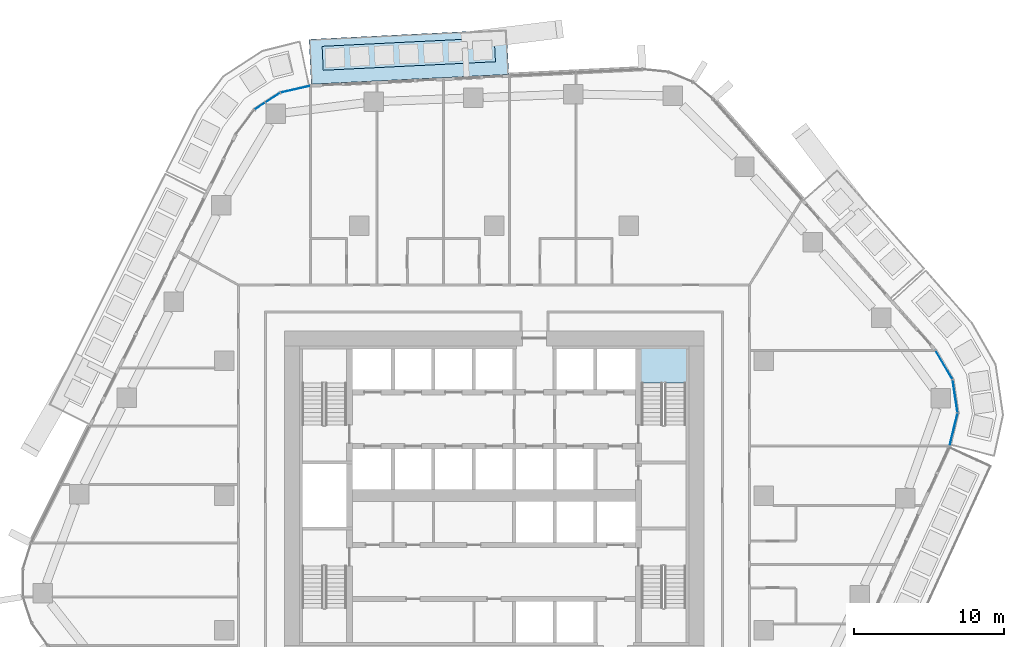
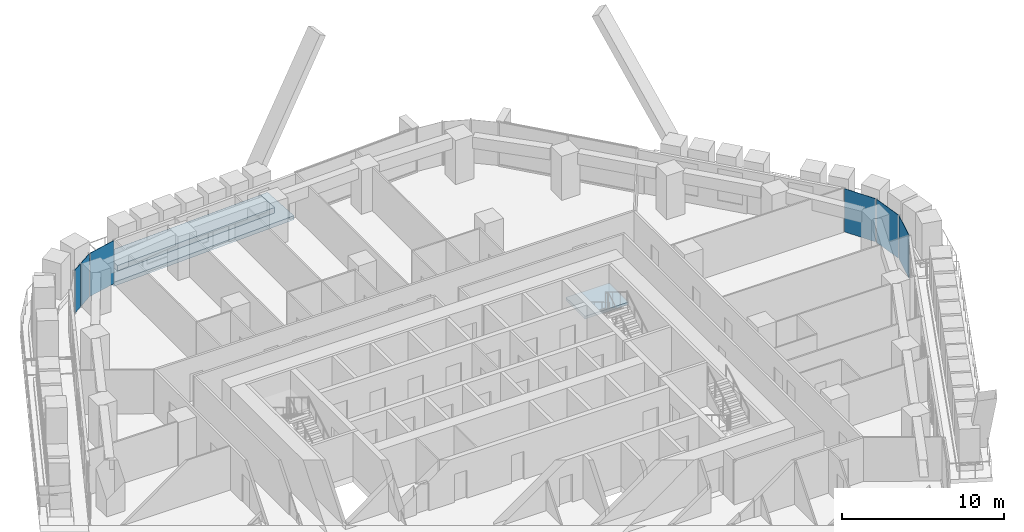
# One storey, part 10 of 25: 6 plates, 3 slabs, 4 elements without a shape of their own.
"""IFC4 building model written with IfcOpenShell, lengths in metres."""

from ifc_helpers import new_model, si_unit, direction, frame, origin, origin_2d, place, context, subcontext, project, spatial, polyline, rectangle, outline, extrude, material, layer, layer_set, type_object, element, aggregate, save


model = new_model("IFC4")

# Units and contexts
model_context = context("Model", 3, precision=1e-05, world=origin(), true_north=direction((0.0, 1.0)))
body_context = subcontext(model_context, "Body", "Model", "MODEL_VIEW")
ifc_project = project(units=[si_unit("LENGTHUNIT", "METRE"), si_unit("AREAUNIT", "SQUARE_METRE"), si_unit("VOLUMEUNIT", "CUBIC_METRE"), si_unit("PLANEANGLEUNIT", "RADIAN"), si_unit("MASSUNIT", "GRAM", prefix="KILO")], contexts=[model_context])

# Site, building, storey
site_placement = place(None, origin())
site = spatial("IfcSite", under=ifc_project, at=site_placement, CompositionType="ELEMENT")
building_placement = place(site_placement, origin())
building = spatial("IfcBuilding", under=site, at=building_placement, Name="Dongbaek Canopy Tower", CompositionType="ELEMENT")
storey_placement = place(building_placement, frame((0.0, 0.0, 102.60009765625)))
storey = spatial("IfcBuildingStorey", under=building, at=storey_placement, Name="L21", CompositionType="ELEMENT", Elevation=102.60009765625)

# Slab
ifc_material_1 = material(Name="Concrete C40/50", Category="concrete")
ifc_layer_1 = layer(ifc_material_1, 0.300048828125)
ifc_layer_set_1 = layer_set([ifc_layer_1], Name="Balcony slab 300")
slab_type_1 = type_object("IfcSlabType", Name="Balcony slab 300", PredefinedType="FLOOR", material=ifc_layer_set_1)
slab_1_placement = place(storey_placement, frame((0.0, 0.0, -0.300048828125)))
element("IfcSlab", 1, at=slab_1_placement, inside=storey, type_object=slab_type_1, Name="Balcony L21 2", PredefinedType="FLOOR", context=body_context, shape_type="SweptSolid", body=[
    extrude(outline(polyline([(0.9873046875, 28.10986328125), (-12.201904296875, 27.455810546875), (-12.3505859375, 30.4521484375), (0.838623046875, 31.106201171875), (0.9873046875, 28.10986328125)])), origin(), (0.0, 0.0, 1.0), 0.300048828125),
])

# Curtain wall, plates
ifc_material_2 = material(Name="Aluminium 6063-T6 pale anodised", Category="aluminium")
ifc_layer_2 = layer(ifc_material_2, 0.199951171875)
ifc_layer_set_2 = layer_set([ifc_layer_2], Name="CW-1 unitised tower curtain wall")
curtain_wall_type = type_object("IfcCurtainWallType", Name="CW-1 unitised tower curtain wall", PredefinedType="NOTDEFINED", material=ifc_layer_set_2)
curtain_wall_1_placement = place(storey_placement, origin())
curtain_wall_1 = element("IfcCurtainWall", 2, at=curtain_wall_1_placement, inside=storey, type_object=curtain_wall_type, Name="CW-1 curtain wall K0.1", PredefinedType="NOTDEFINED")
ifc_material_3 = material(Name="Clear laminated glass", Category="glass")
ifc_layer_3 = layer(ifc_material_3, 0.028076171875)
ifc_layer_set_3 = layer_set([ifc_layer_3], Name="CW-1 glazed panel 28")
plate_type = type_object("IfcPlateType", Name="CW-1 glazed panel 28", PredefinedType="CURTAIN_PANEL", material=ifc_layer_set_3)
plate_1_placement = place(storey_placement, frame((30.673583984375, 4.411376953125, 0.0), z_axis=(0.0, 0.0, 1.0), x_axis=(0.235561839809, 0.971859362061, 0.0)))
plate_1 = element("IfcPlate", 3, at=plate_1_placement, type_object=plate_type, Name="CW-1 panel K0.1.1.1", PredefinedType="CURTAIN_PANEL", context=body_context, shape_type="SweptSolid", body=[
    extrude(rectangle(XDim=2.182373046875, YDim=0.028076171875, at=origin_2d()), origin(), (0.0, 0.0, 1.0), 3.25),
])
plate_2_placement = place(storey_placement, frame((30.775146484375, 6.628662109375, 0.0), z_axis=(0.0, 0.0, 1.0), x_axis=(-0.146640884737, 0.989189795198, 0.0)))
plate_2 = element("IfcPlate", 4, at=plate_2_placement, type_object=plate_type, Name="CW-1 panel K0.1.2.1", PredefinedType="CURTAIN_PANEL", context=body_context, shape_type="SweptSolid", body=[
    extrude(rectangle(XDim=2.172607421875, YDim=0.028076171875, at=origin_2d()), origin(), (0.0, 0.0, 1.0), 3.25),
])
plate_3_placement = place(storey_placement, frame((30.03466796875, 8.721435546875, 0.0), z_axis=(0.0, 0.0, 1.0), x_axis=(-0.507378424112, 0.861723351631, 0.0)))
plate_3 = element("IfcPlate", 5, at=plate_3_placement, type_object=plate_type, Name="CW-1 panel K0.1.3.1", PredefinedType="CURTAIN_PANEL", context=body_context, shape_type="SweptSolid", body=[
    extrude(rectangle(XDim=2.182373046875, YDim=0.028076171875, at=origin_2d()), origin(), (0.0, 0.0, 1.0), 3.25),
])
aggregate(curtain_wall_1, [plate_1, plate_2, plate_3])

curtain_wall_2_placement = place(storey_placement, origin())
curtain_wall_2 = element("IfcCurtainWall", 6, at=curtain_wall_2_placement, inside=storey, type_object=curtain_wall_type, Name="CW-1 curtain wall K2.1a", PredefinedType="NOTDEFINED")
plate_4_placement = place(storey_placement, frame((-13.249755859375, 27.12158203125, 0.0), z_axis=(0.0, 0.0, 1.0), x_axis=(-0.974641017133, -0.223774189134, 0.0)))
plate_4 = element("IfcPlate", 7, at=plate_4_placement, type_object=plate_type, Name="CW-1 panel K2.1a.1.1", PredefinedType="CURTAIN_PANEL", context=body_context, shape_type="SweptSolid", body=[
    extrude(rectangle(XDim=1.991943359375, YDim=0.028076171875, at=origin_2d()), origin(), (0.0, 0.0, 1.0), 3.25),
])
plate_5_placement = place(storey_placement, frame((-14.76611328125, 26.56005859375, 0.0), z_axis=(0.0, 0.0, 1.0), x_axis=(-0.837590534626, -0.546298541371, 0.0)))
plate_5 = element("IfcPlate", 8, at=plate_5_placement, type_object=plate_type, Name="CW-1 panel K2.1a.2.1", PredefinedType="CURTAIN_PANEL", context=body_context, shape_type="SweptSolid", body=[
    extrude(rectangle(XDim=1.121337890625, YDim=0.028076171875, at=origin_2d()), origin(), (0.0, 0.0, 1.0), 3.25),
])
aggregate(curtain_wall_2, [plate_4, plate_5])

# Curtain wall, plate
curtain_wall_3_placement = place(storey_placement, origin())
curtain_wall_3 = element("IfcCurtainWall", 9, at=curtain_wall_3_placement, inside=storey, type_object=curtain_wall_type, Name="CW-1 curtain wall K2.1b", PredefinedType="NOTDEFINED")
plate_6_placement = place(storey_placement, frame((-15.644775390625, 25.987060546875, 0.0), z_axis=(0.0, 0.0, 1.0), x_axis=(-0.837590534626, -0.546298541371, 0.0)))
plate_6 = element("IfcPlate", 10, at=plate_6_placement, type_object=plate_type, Name="CW-1 panel K2.1b.1.1", PredefinedType="CURTAIN_PANEL", context=body_context, shape_type="SweptSolid", body=[
    extrude(rectangle(XDim=0.74658203125, YDim=0.028076171875, at=origin_2d()), origin(), (0.0, 0.0, 1.0), 3.25),
])
aggregate(curtain_wall_3, [plate_6])

# Stair, slab
ifc_material_4 = material(Name="Concrete C40/50", Category="concrete")
stair_type = type_object("IfcStairType", Name="Core exit stair", PredefinedType="HALF_TURN_STAIR", material=ifc_material_4)
stair_placement = place(storey_placement, origin())
stair = element("IfcStair", 11, at=stair_placement, inside=storey, type_object=stair_type, Name="L21 exit stair A", PredefinedType="HALF_TURN_STAIR")
ifc_material_5 = material(Name="Concrete C40/50", Category="concrete")
ifc_layer_4 = layer(ifc_material_5, 0.199951171875)
ifc_layer_set_4 = layer_set([ifc_layer_4], Name="Core stair landing 200")
slab_type_2 = type_object("IfcSlabType", Name="Core stair landing 200", PredefinedType="LANDING", material=ifc_layer_set_4)
slab_2_placement = place(storey_placement, frame((0.0, 0.0, 1.64990234375)))
slab_2 = element("IfcSlab", 12, at=slab_2_placement, type_object=slab_type_2, Name="ST-A landing 1", PredefinedType="LANDING", context=body_context, shape_type="SweptSolid", body=[
    extrude(outline(polyline([(12.875, 7.5), (12.875, 9.875), (9.77490234375, 9.875), (9.77490234375, 7.5), (12.875, 7.5)])), origin(), (0.0, 0.0, 1.0), 0.199951171875),
])
aggregate(stair, [slab_2])

# Slab
ifc_material_6 = material(Name="Reinforced concrete C40/50 planter box with soil", Category="concrete")
ifc_layer_5 = layer(ifc_material_6, 0.419921875)
ifc_layer_set_5 = layer_set([ifc_layer_5], Name="Terrace planter box 1600 x 420")
slab_type_3 = type_object("IfcSlabType", Name="Terrace planter box 1600 x 420", PredefinedType="USERDEFINED", material=ifc_layer_set_5)
slab_3_placement = place(storey_placement, origin())
element("IfcSlab", 13, at=slab_3_placement, inside=storey, type_object=slab_type_3, Name="Balcony planter L21 2", ObjectType="PLANTER", PredefinedType="USERDEFINED", context=body_context, shape_type="SweptSolid", body=[
    extrude(outline(polyline([(0.09423828125, 28.956787109375), (-11.39697265625, 28.38671875), (-11.476318359375, 29.98486328125), (0.01513671875, 30.5546875), (0.09423828125, 28.956787109375)])), origin(), (0.0, 0.0, 1.0), 0.419921875),
])

save(model, "model.ifc")
